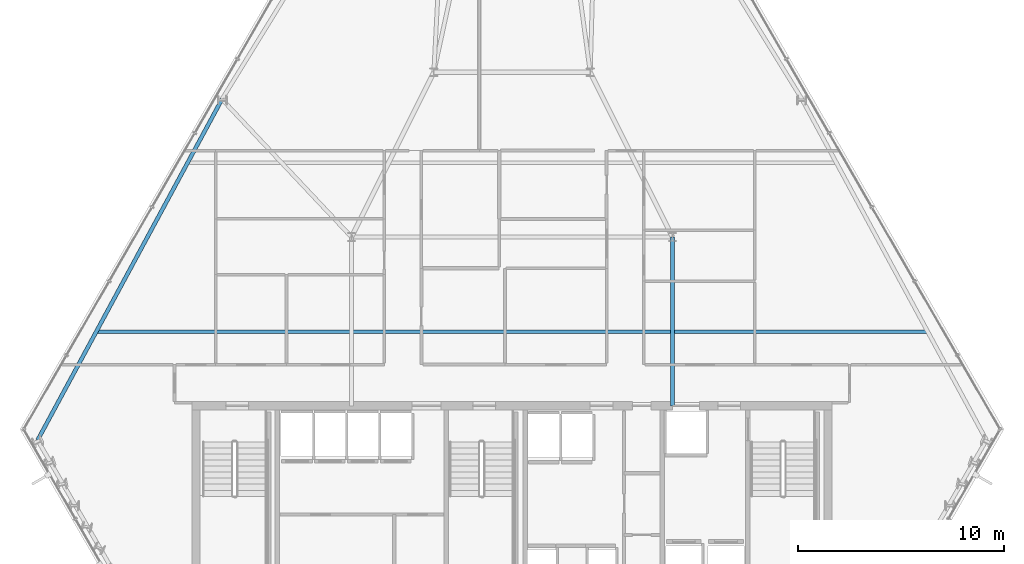
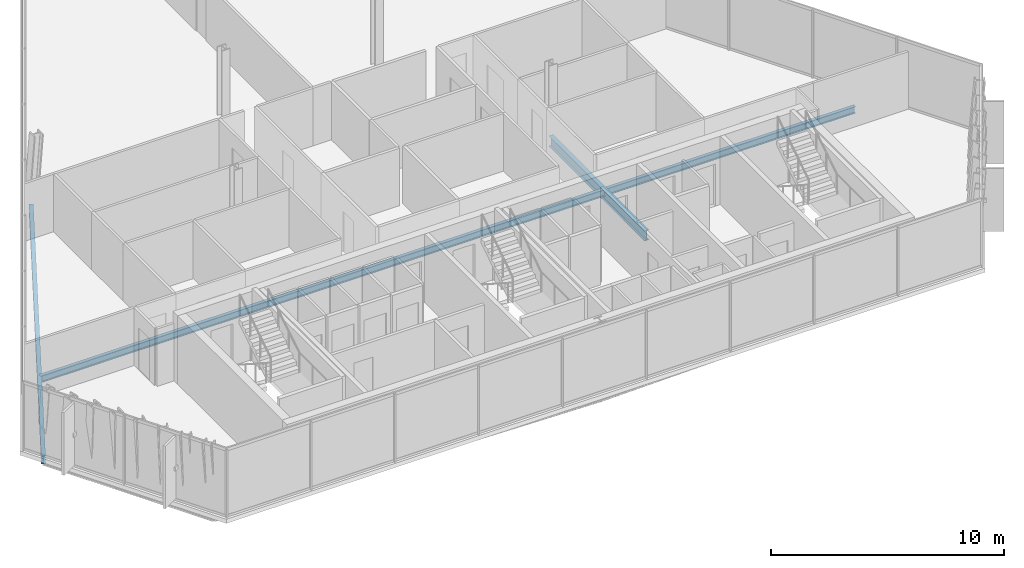
# One storey, part 10 of 35: 3 beams.
"""IFC4 building model written with IfcOpenShell, lengths in metres."""

from ifc_helpers import new_model, si_unit, direction, frame, origin, origin_2d, place, context, subcontext, project, spatial, i_section, extrude, material, material_profile, profile_set, type_object, element, save


model = new_model("IFC4")

# Units and contexts
model_context = context("Model", 3, precision=1e-05, world=origin(), true_north=direction((0.0, 1.0)))
body_context = subcontext(model_context, "Body", "Model", "MODEL_VIEW")
ifc_project = project(units=[si_unit("LENGTHUNIT", "METRE"), si_unit("AREAUNIT", "SQUARE_METRE"), si_unit("VOLUMEUNIT", "CUBIC_METRE"), si_unit("PLANEANGLEUNIT", "RADIAN"), si_unit("MASSUNIT", "GRAM", prefix="KILO")], contexts=[model_context])

# Site, building, storey
site_placement = place(None, origin())
site = spatial("IfcSite", under=ifc_project, at=site_placement, CompositionType="ELEMENT")
building_placement = place(site_placement, origin())
building = spatial("IfcBuilding", under=site, at=building_placement, Name="Ndaravel Arena Tower", CompositionType="ELEMENT")
storey_placement = place(building_placement, frame((0.0, 0.0, 180.199951171875)))
storey = spatial("IfcBuildingStorey", under=building, at=storey_placement, Name="L43", CompositionType="ELEMENT", Elevation=180.199951171875)

# Beams
ifc_material_1 = material(Name="Steel S355", Category="steel")
ifc_material_profile_1 = material_profile(ifc_material_1, i_section(OverallWidth=0.210693359375, OverallDepth=0.53955078125, WebThickness=0.01171875, FlangeThickness=0.018798828125, FilletRadius=0.0126953125, at=origin_2d()), Name="UB 533x210x109")
ifc_profile_set_1 = profile_set([ifc_material_profile_1], Name="Steel S355")
beam_type_1 = type_object("IfcBeamType", Name="BM-GIRD-UB533", PredefinedType="BEAM", material=ifc_profile_set_1)
beam_1_placement = place(storey_placement, frame((49.800048828125, 14.97998046875, -0.48974609375), z_axis=(0.0, 1.0, 0.0), x_axis=(-1.0, 0.0, 0.0)))
element("IfcBeam", 1, at=beam_1_placement, inside=storey, type_object=beam_type_1, Name="L43 Spine Link Girder SLG-02", PredefinedType="BEAM", context=body_context, shape_type="SweptSolid", body=[
    extrude(i_section(OverallWidth=0.210693359375, OverallDepth=0.53955078125, WebThickness=0.01171875, FlangeThickness=0.018798828125, FilletRadius=0.0126953125, at=origin_2d()), origin(), (0.0, 0.0, 1.0), 8.219970703125),
])
ifc_material_2 = material(Name="Steel S355", Category="steel")
ifc_material_profile_2 = material_profile(ifc_material_2, i_section(OverallWidth=0.172119140625, OverallDepth=0.35791015625, WebThickness=0.008056640625, FlangeThickness=0.012939453125, FilletRadius=0.01025390625, at=origin_2d()), Name="UB 356x171x57")
ifc_profile_set_2 = profile_set([ifc_material_profile_2], Name="Steel S355")
beam_type_2 = type_object("IfcBeamType", Name="BM-JOIST-UB356", PredefinedType="JOIST", material=ifc_profile_set_2)
beam_2_placement = place(storey_placement, frame((21.800048828125, 18.60009765625, -0.39892578125), z_axis=(1.0, 0.0, 0.0), x_axis=(0.0, 1.0, 0.0)))
element("IfcBeam", 2, at=beam_2_placement, inside=storey, type_object=beam_type_2, Name="L43 Composite Floor Joist FJ-01", PredefinedType="JOIST", context=body_context, shape_type="SweptSolid", body=[
    extrude(i_section(OverallWidth=0.172119140625, OverallDepth=0.35791015625, WebThickness=0.008056640625, FlangeThickness=0.012939453125, FilletRadius=0.01025390625, at=origin_2d()), origin(), (0.0, 0.0, 1.0), 40.39990234375),
])
ifc_material_3 = material(Name="Steel S355", Category="steel")
ifc_material_profile_3 = material_profile(ifc_material_3, i_section(OverallWidth=0.18994140625, OverallDepth=0.449951171875, WebThickness=0.009521484375, FlangeThickness=0.0146484375, FilletRadius=0.02099609375, at=origin_2d()), Name="IPE 450")
ifc_profile_set_3 = profile_set([ifc_material_profile_3], Name="Steel S355")
beam_type_3 = type_object("IfcBeamType", Name="BM-SPAN-IPE450", PredefinedType="SPANDREL", material=ifc_profile_set_3)
beam_3_placement = place(storey_placement, frame((27.906494140625, 29.890380859375, -0.445068359375), z_axis=(-0.475732906859, -0.879589791512, 0.0), x_axis=(0.879589791512, -0.475732906859, 0.0)))
element("IfcBeam", 3, at=beam_3_placement, inside=storey, type_object=beam_type_3, Name="L43 Perimeter Spandrel Beam SP-19", PredefinedType="SPANDREL", context=body_context, shape_type="SweptSolid", body=[
    extrude(i_section(OverallWidth=0.18994140625, OverallDepth=0.449951171875, WebThickness=0.009521484375, FlangeThickness=0.0146484375, FilletRadius=0.02099609375, at=origin_2d()), origin(), (0.0, 0.0, 1.0), 18.827880859375),
])

save(model, "model.ifc")
